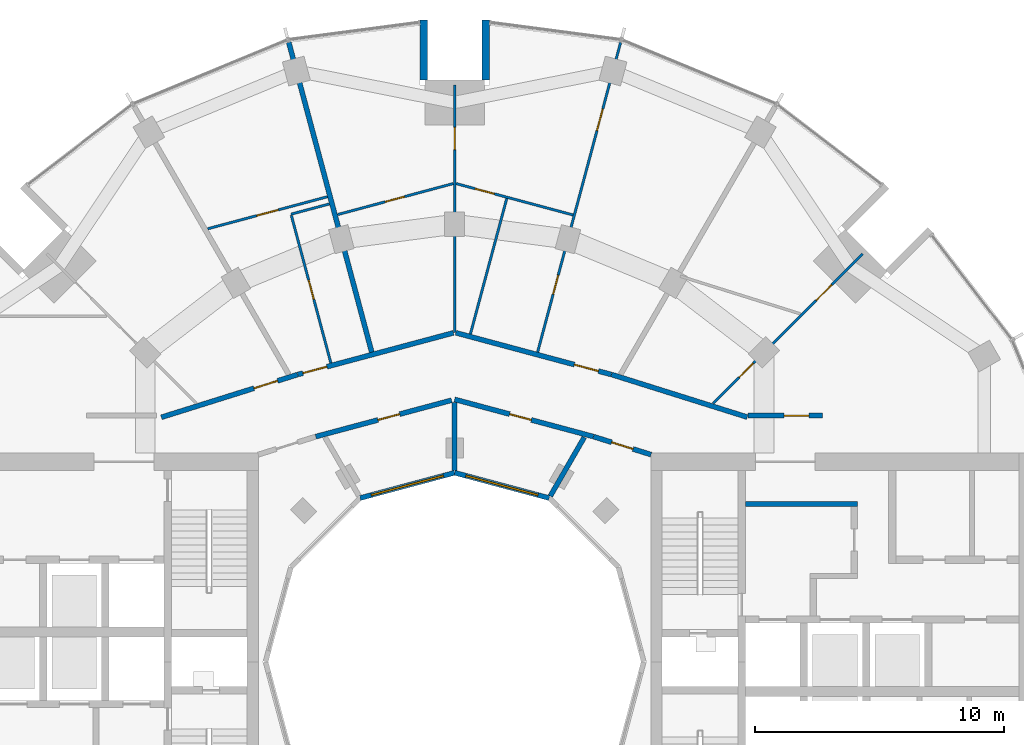
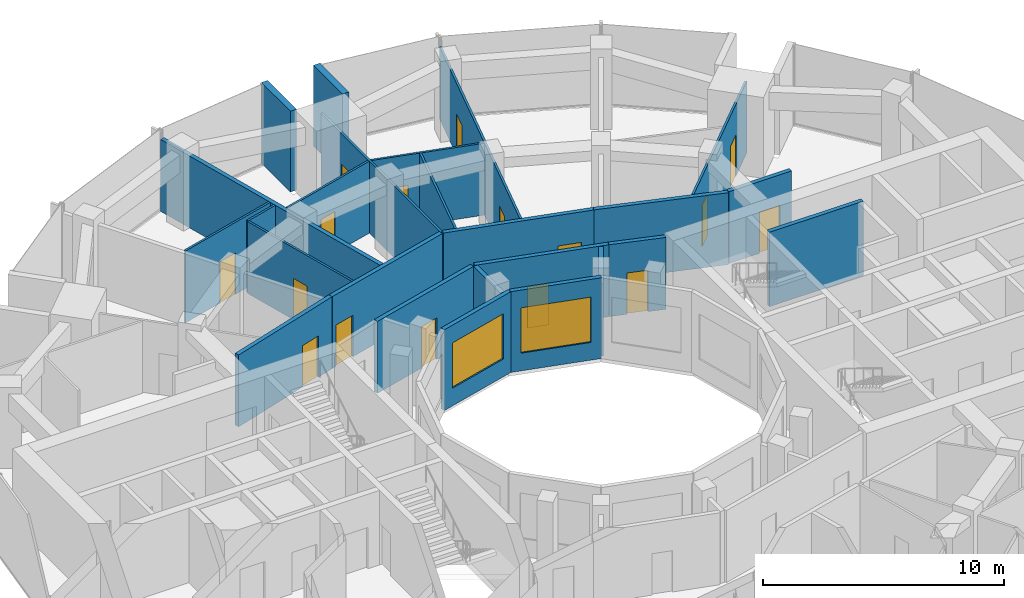
# One storey, part 12 of 15: 25 walls, 16 doors, 2 windows, 18 openings.
"""IFC4 building model written with IfcOpenShell, lengths in metres."""

from ifc_helpers import new_model, si_unit, direction, frame, frame_2d, origin, place, context, subcontext, project, spatial, rectangle, extrude, material, layer, layer_set, type_object, element, fill, save


model = new_model("IFC4")

# Units and contexts
model_context = context("Model", 3, precision=1e-05, world=origin(), true_north=direction((0.0, 1.0)))
body_context = subcontext(model_context, "Body", "Model", "MODEL_VIEW")
ifc_project = project(units=[si_unit("LENGTHUNIT", "METRE"), si_unit("AREAUNIT", "SQUARE_METRE"), si_unit("VOLUMEUNIT", "CUBIC_METRE"), si_unit("PLANEANGLEUNIT", "RADIAN"), si_unit("MASSUNIT", "GRAM", prefix="KILO")], contexts=[model_context])

# Site, building, storey
site_placement = place(None, origin())
site = spatial("IfcSite", under=ifc_project, at=site_placement, CompositionType="ELEMENT")
building_placement = place(site_placement, origin())
building = spatial("IfcBuilding", under=site, at=building_placement, Name="Torre Brocal", CompositionType="ELEMENT")
storey_placement = place(building_placement, frame((0.0, 0.0, 190.5)))
storey = spatial("IfcBuildingStorey", under=building, at=storey_placement, Name="L44", CompositionType="ELEMENT", Elevation=190.5)

# Walls
ifc_material_1 = material(Name="Concrete C70", Category="concrete")
ifc_layer_1 = layer(ifc_material_1, 0.199951171875)
ifc_layer_set_1 = layer_set([ifc_layer_1], Name="Concrete C70")
wall_type_1 = type_object("IfcWallType", Name="CORE WALL 200 C70", PredefinedType="SHEAR", material=ifc_layer_set_1)
wall_1_placement = place(storey_placement, frame((91.699951171875, 81.35009765625, 0.0), z_axis=(0.0, 0.0, 1.0), x_axis=(1.0, 0.0, 0.0)))
element("IfcWall", 1, at=wall_1_placement, inside=storey, type_object=wall_type_1, Name="Wall CW200-70", PredefinedType="SHEAR", context=body_context, shape_type="SweptSolid", body=[
    extrude(rectangle(XDim=4.5, YDim=0.199951171875, at=frame_2d((2.25, 0.0))), origin(), (0.0, 0.0, 1.0), 3.780029296875),
])
ifc_material_2 = material(Name="Concrete C70", Category="concrete")
ifc_layer_2 = layer(ifc_material_2, 0.300048828125)
ifc_layer_set_2 = layer_set([ifc_layer_2], Name="Concrete C70")
wall_type_2 = type_object("IfcWallType", Name="NOTCH RETURN WALL 300 C70", PredefinedType="NOTDEFINED", material=ifc_layer_set_2)
for number, where, z_axis, x_axis, name in (
    (2, (81.25, 98.39990234375, 0.0), (0.0, 0.0, 1.0), (0.0, 1.0, 0.0), "NOTCH RETURN WALL"),
    (3, (78.75, 98.39990234375, 0.0), (0.0, 0.0, 1.0), (0.0, 1.0, 0.0), "NOTCH RETURN WALL"),
):
    element("IfcWall", number, at=place(storey_placement, frame(where, z_axis=z_axis, x_axis=x_axis)), inside=storey, type_object=wall_type_2, Name=name, PredefinedType="NOTDEFINED", context=body_context, shape_type="SweptSolid", body=[
        extrude(rectangle(XDim=2.415771484375, YDim=0.300048828125, at=frame_2d((1.2080078125, 0.0))), origin(), (0.0, 0.0, 1.0), 4.10009765625),
    ])

# Wall, opening, door
ifc_material_3 = material(Name="Gypsum board", Category="Gypsum")
ifc_layer_3 = layer(ifc_material_3, 0.10009765625)
ifc_layer_set_3 = layer_set([ifc_layer_3], Name="Gypsum board")
wall_type_3 = type_object("IfcWallType", Name="PARTITION 100", PredefinedType="PARTITIONING", material=ifc_layer_set_3)
wall_2_placement = place(storey_placement, frame((70.0673828125, 92.41748046875, 0.0), z_axis=(0.0, 0.0, 1.0), x_axis=(0.965982566978, 0.258607193045, 0.0)))
wall_2 = element("IfcWall", 4, at=wall_2_placement, inside=storey, type_object=wall_type_3, Name="ROOM PARTITION", PredefinedType="PARTITIONING", context=body_context, shape_type="SweptSolid", body=[
    extrude(rectangle(XDim=4.986572265625, YDim=0.10009765625, at=frame_2d((2.4931640625, 0.0))), origin(), (0.0, 0.0, 1.0), 3.64990234375),
])
opening_1_placement = place(wall_2_placement, frame((2.038330078125, 0.0, 0.0)))
opening_1 = element("IfcOpeningElement", 5, at=opening_1_placement, cuts=wall_2, Name="Opening R03-D10", PredefinedType="OPENING", context=body_context, shape_type="SweptSolid", body=[
    extrude(rectangle(XDim=0.89990234375, YDim=2.10009765625, at=frame_2d((0.449951171875, 1.050048828125))), frame((0.0, 0.06005859375, 0.0), z_axis=(0.0, -1.0, 0.0), x_axis=(1.0, 0.0, 0.0)), (0.0, 0.0, 1.0), 0.1201171875),
])
ifc_material_4 = material(Name="Timber", Category="wood")
door_type_1 = type_object("IfcDoorType", Name="ROOM DOOR 900X2100", OperationType="SINGLE_SWING_LEFT", PredefinedType="DOOR", material=ifc_material_4)
door_1_placement = place(opening_1_placement, frame((0.89990234375, 0.0, 0.0), z_axis=(0.0, 0.0, 1.0), x_axis=(-1.0, 0.0, 0.0)))
door_1 = element("IfcDoor", 6, at=door_1_placement, inside=storey, type_object=door_type_1, Name="R03-D10", OperationType="SINGLE_SWING_LEFT", OverallHeight=2.10009765625, OverallWidth=0.89990234375, PredefinedType="DOOR", context=body_context, shape_type="SweptSolid", body=[
    extrude(rectangle(XDim=0.89990234375, YDim=2.10009765625, at=frame_2d((0.449951171875, 1.050048828125))), frame((0.0, 0.02490234375, 0.0), z_axis=(0.0, -1.0, 0.0), x_axis=(1.0, 0.0, 0.0)), (0.0, 0.0, 1.0), 0.050048828125),
])
fill(opening_1, door_1)

wall_3_placement = place(storey_placement, frame((73.429931640625, 92.955810546875, 0.0), z_axis=(0.0, 0.0, 1.0), x_axis=(0.258707643808, -0.965955669291, 0.0)))
wall_3 = element("IfcWall", 7, at=wall_3_placement, inside=storey, type_object=wall_type_3, Name="BATHROOM WALL", PredefinedType="PARTITIONING", context=body_context, shape_type="SweptSolid", body=[
    extrude(rectangle(XDim=6.150146484375, YDim=0.10009765625, at=frame_2d((3.0751953125, 0.0))), origin(), (0.0, 0.0, 1.0), 3.64990234375),
])
opening_2_placement = place(wall_3_placement, frame((2.7001953125, 0.0, 0.0)))
opening_2 = element("IfcOpeningElement", 8, at=opening_2_placement, cuts=wall_3, Name="Opening R03-D12", PredefinedType="OPENING", context=body_context, shape_type="SweptSolid", body=[
    extrude(rectangle(XDim=0.800048828125, YDim=2.10009765625, at=frame_2d((0.39990234375, 1.050048828125))), frame((0.0, 0.06005859375, 0.0), z_axis=(0.0, -1.0, 0.0), x_axis=(1.0, 0.0, 0.0)), (0.0, 0.0, 1.0), 0.1201171875),
])
ifc_material_5 = material(Name="Timber", Category="wood")
door_type_2 = type_object("IfcDoorType", Name="BATHROOM DOOR 800X2100", OperationType="SINGLE_SWING_LEFT", PredefinedType="DOOR", material=ifc_material_5)
door_2_placement = place(opening_2_placement, origin())
door_2 = element("IfcDoor", 9, at=door_2_placement, inside=storey, type_object=door_type_2, Name="R03-D12", OperationType="SINGLE_SWING_LEFT", OverallHeight=2.10009765625, OverallWidth=0.800048828125, PredefinedType="DOOR", context=body_context, shape_type="SweptSolid", body=[
    extrude(rectangle(XDim=0.800048828125, YDim=2.10009765625, at=frame_2d((0.39990234375, 1.050048828125))), frame((0.0, 0.02490234375, 0.0), z_axis=(0.0, -1.0, 0.0), x_axis=(1.0, 0.0, 0.0)), (0.0, 0.0, 1.0), 0.050048828125),
])
fill(opening_2, door_2)

# Wall
wall_4_placement = place(storey_placement, frame((73.4169921875, 93.00390625, 0.0), z_axis=(0.0, 0.0, 1.0), x_axis=(0.966062421459, 0.258308725839, 0.0)))
element("IfcWall", 10, at=wall_4_placement, inside=storey, type_object=wall_type_3, Name="BATHROOM WALL", PredefinedType="PARTITIONING", context=body_context, shape_type="SweptSolid", body=[
    extrude(rectangle(XDim=1.59912109375, YDim=0.10009765625, at=frame_2d((0.799560546875, 0.0))), origin(), (0.0, 0.0, 1.0), 3.64990234375),
])

# Wall, opening, door
wall_5_placement = place(storey_placement, frame((75.294677734375, 92.988525390625, 0.0), z_axis=(0.0, 0.0, 1.0), x_axis=(0.965829517501, 0.259178207271, 0.0)))
wall_5 = element("IfcWall", 11, at=wall_5_placement, inside=storey, type_object=wall_type_3, Name="BATHROOM WALL", PredefinedType="PARTITIONING", context=body_context, shape_type="SweptSolid", body=[
    extrude(rectangle(XDim=4.8115234375, YDim=0.10009765625, at=frame_2d((2.40576171875, 0.0))), origin(), (0.0, 0.0, 1.0), 3.64990234375),
])
opening_3_placement = place(wall_5_placement, frame((1.980712890625, 0.0, 0.0)))
opening_3 = element("IfcOpeningElement", 12, at=opening_3_placement, cuts=wall_5, Name="Opening R03-D09", PredefinedType="OPENING", context=body_context, shape_type="SweptSolid", body=[
    extrude(rectangle(XDim=0.800048828125, YDim=2.10009765625, at=frame_2d((0.39990234375, 1.050048828125))), frame((0.0, 0.06005859375, 0.0), z_axis=(0.0, -1.0, 0.0), x_axis=(1.0, 0.0, 0.0)), (0.0, 0.0, 1.0), 0.1201171875),
])
door_3_placement = place(opening_3_placement, frame((0.800048828125, 0.0, 0.0), z_axis=(0.0, 0.0, 1.0), x_axis=(-1.0, 0.0, 0.0)))
door_3 = element("IfcDoor", 13, at=door_3_placement, inside=storey, type_object=door_type_2, Name="R03-D09", OperationType="SINGLE_SWING_LEFT", OverallHeight=2.10009765625, OverallWidth=0.800048828125, PredefinedType="DOOR", context=body_context, shape_type="SweptSolid", body=[
    extrude(rectangle(XDim=0.800048828125, YDim=2.10009765625, at=frame_2d((0.39990234375, 1.050048828125))), frame((0.0, 0.02490234375, 0.0), z_axis=(0.0, -1.0, 0.0), x_axis=(1.0, 0.0, 0.0)), (0.0, 0.0, 1.0), 0.050048828125),
])
fill(opening_3, door_3)

wall_6_placement = place(storey_placement, frame((80.0, 88.24609375, 0.0), z_axis=(0.0, 0.0, 1.0), x_axis=(0.0, 1.0, 0.0)))
wall_6 = element("IfcWall", 14, at=wall_6_placement, inside=storey, type_object=wall_type_3, Name="BATHROOM WALL", PredefinedType="PARTITIONING", context=body_context, shape_type="SweptSolid", body=[
    extrude(rectangle(XDim=9.953857421875, YDim=0.10009765625, at=frame_2d((4.97705078125, 0.0))), origin(), (0.0, 0.0, 1.0), 3.64990234375),
])
opening_4_placement = place(wall_6_placement, frame((7.3544921875, 0.0, 0.0)))
opening_4 = element("IfcOpeningElement", 15, at=opening_4_placement, cuts=wall_6, Name="Opening R03-D08", PredefinedType="OPENING", context=body_context, shape_type="SweptSolid", body=[
    extrude(rectangle(XDim=0.89990234375, YDim=2.10009765625, at=frame_2d((0.449951171875, 1.050048828125))), frame((0.0, 0.06005859375, 0.0), z_axis=(0.0, -1.0, 0.0), x_axis=(1.0, 0.0, 0.0)), (0.0, 0.0, 1.0), 0.1201171875),
])
door_4_placement = place(opening_4_placement, origin())
door_4 = element("IfcDoor", 16, at=door_4_placement, inside=storey, type_object=door_type_1, Name="R03-D08", OperationType="SINGLE_SWING_LEFT", OverallHeight=2.10009765625, OverallWidth=0.89990234375, PredefinedType="DOOR", context=body_context, shape_type="SweptSolid", body=[
    extrude(rectangle(XDim=0.89990234375, YDim=2.10009765625, at=frame_2d((0.449951171875, 1.050048828125))), frame((0.0, 0.02490234375, 0.0), z_axis=(0.0, -1.0, 0.0), x_axis=(1.0, 0.0, 0.0)), (0.0, 0.0, 1.0), 0.050048828125),
])
fill(opening_4, door_4)

wall_7_placement = place(storey_placement, frame((80.057861328125, 94.2353515625, 0.0), z_axis=(0.0, 0.0, 1.0), x_axis=(0.965831212389, -0.259171891173, 0.0)))
wall_7 = element("IfcWall", 17, at=wall_7_placement, inside=storey, type_object=wall_type_3, Name="BATHROOM WALL", PredefinedType="PARTITIONING", context=body_context, shape_type="SweptSolid", body=[
    extrude(rectangle(XDim=4.8720703125, YDim=0.10009765625, at=frame_2d((2.43603515625, 0.0))), origin(), (0.0, 0.0, 1.0), 3.64990234375),
])
opening_5_placement = place(wall_7_placement, frame((0.79150390625, 0.0, 0.0)))
opening_5 = element("IfcOpeningElement", 18, at=opening_5_placement, cuts=wall_7, Name="Opening R03-D06", PredefinedType="OPENING", context=body_context, shape_type="SweptSolid", body=[
    extrude(rectangle(XDim=0.800048828125, YDim=2.10009765625, at=frame_2d((0.39990234375, 1.050048828125))), frame((0.0, 0.06005859375, 0.0), z_axis=(0.0, -1.0, 0.0), x_axis=(1.0, 0.0, 0.0)), (0.0, 0.0, 1.0), 0.1201171875),
])
door_5_placement = place(opening_5_placement, frame((0.800048828125, 0.0, 0.0), z_axis=(0.0, 0.0, 1.0), x_axis=(-1.0, 0.0, 0.0)))
door_5 = element("IfcDoor", 19, at=door_5_placement, inside=storey, type_object=door_type_2, Name="R03-D06", OperationType="SINGLE_SWING_LEFT", OverallHeight=2.10009765625, OverallWidth=0.800048828125, PredefinedType="DOOR", context=body_context, shape_type="SweptSolid", body=[
    extrude(rectangle(XDim=0.800048828125, YDim=2.10009765625, at=frame_2d((0.39990234375, 1.050048828125))), frame((0.0, 0.02490234375, 0.0), z_axis=(0.0, -1.0, 0.0), x_axis=(1.0, 0.0, 0.0)), (0.0, 0.0, 1.0), 0.050048828125),
])
fill(opening_5, door_5)

# Wall
wall_8_placement = place(storey_placement, frame((80.633056640625, 88.179931640625, 0.0), z_axis=(0.0, 0.0, 1.0), x_axis=(0.25898304477, 0.965881867788, 0.0)))
element("IfcWall", 20, at=wall_8_placement, inside=storey, type_object=wall_type_3, Name="BATHROOM WALL", PredefinedType="PARTITIONING", context=body_context, shape_type="SweptSolid", body=[
    extrude(rectangle(XDim=5.649658203125, YDim=0.10009765625, at=frame_2d((2.82470703125, 0.0))), origin(), (0.0, 0.0, 1.0), 3.64990234375),
])

# Wall, openings, doors
wall_9_placement = place(storey_placement, frame((83.3369140625, 87.455078125, 0.0), z_axis=(0.0, 0.0, 1.0), x_axis=(0.258861232071, 0.965914521337, 0.0)))
wall_9 = element("IfcWall", 21, at=wall_9_placement, inside=storey, type_object=wall_type_3, Name="BATHROOM WALL", PredefinedType="PARTITIONING", context=body_context, shape_type="SweptSolid", body=[
    extrude(rectangle(XDim=12.904052734375, YDim=0.10009765625, at=frame_2d((6.4521484375, 0.0))), origin(), (0.0, 0.0, 1.0), 3.64990234375),
])
opening_6_placement = place(wall_9_placement, frame((9.2265625, 0.0, 0.0)))
opening_6 = element("IfcOpeningElement", 22, at=opening_6_placement, cuts=wall_9, Name="Opening R03-D05", PredefinedType="OPENING", context=body_context, shape_type="SweptSolid", body=[
    extrude(rectangle(XDim=0.89990234375, YDim=2.10009765625, at=frame_2d((0.449951171875, 1.050048828125))), frame((0.0, 0.06005859375, 0.0), z_axis=(0.0, -1.0, 0.0), x_axis=(1.0, 0.0, 0.0)), (0.0, 0.0, 1.0), 0.1201171875),
])
opening_7_placement = place(wall_9_placement, frame((2.4091796875, 0.0, 0.0)))
opening_7 = element("IfcOpeningElement", 23, at=opening_7_placement, cuts=wall_9, Name="Opening R03-D07", PredefinedType="OPENING", context=body_context, shape_type="SweptSolid", body=[
    extrude(rectangle(XDim=0.800048828125, YDim=2.10009765625, at=frame_2d((0.39990234375, 1.050048828125))), frame((0.0, 0.06005859375, 0.0), z_axis=(0.0, -1.0, 0.0), x_axis=(1.0, 0.0, 0.0)), (0.0, 0.0, 1.0), 0.1201171875),
])
door_6_placement = place(opening_7_placement, origin())
door_6 = element("IfcDoor", 24, at=door_6_placement, inside=storey, type_object=door_type_2, Name="R03-D07", OperationType="SINGLE_SWING_RIGHT", OverallHeight=2.10009765625, OverallWidth=0.800048828125, PredefinedType="DOOR", context=body_context, shape_type="SweptSolid", body=[
    extrude(rectangle(XDim=0.800048828125, YDim=2.10009765625, at=frame_2d((0.39990234375, 1.050048828125))), frame((0.0, 0.02490234375, 0.0), z_axis=(0.0, -1.0, 0.0), x_axis=(1.0, 0.0, 0.0)), (0.0, 0.0, 1.0), 0.050048828125),
])
fill(opening_7, door_6)
door_7_placement = place(opening_6_placement, frame((0.89990234375, 0.0, 0.0), z_axis=(0.0, 0.0, 1.0), x_axis=(-1.0, 0.0, 0.0)))
door_7 = element("IfcDoor", 25, at=door_7_placement, inside=storey, type_object=door_type_1, Name="R03-D05", OperationType="SINGLE_SWING_LEFT", OverallHeight=2.10009765625, OverallWidth=0.89990234375, PredefinedType="DOOR", context=body_context, shape_type="SweptSolid", body=[
    extrude(rectangle(XDim=0.89990234375, YDim=2.10009765625, at=frame_2d((0.449951171875, 1.050048828125))), frame((0.0, 0.02490234375, 0.0), z_axis=(0.0, -1.0, 0.0), x_axis=(1.0, 0.0, 0.0)), (0.0, 0.0, 1.0), 0.050048828125),
])
fill(opening_6, door_7)

wall_10_placement = place(storey_placement, frame((90.39697265625, 85.392822265625, 0.0), z_axis=(0.0, 0.0, 1.0), x_axis=(0.707264750546, 0.706948776529, 0.0)))
wall_10 = element("IfcWall", 26, at=wall_10_placement, inside=storey, type_object=wall_type_3, Name="BATHROOM WALL", PredefinedType="PARTITIONING", context=body_context, shape_type="SweptSolid", body=[
    extrude(rectangle(XDim=8.499267578125, YDim=0.10009765625, at=frame_2d((4.24951171875, 0.0))), origin(), (0.0, 0.0, 1.0), 3.64990234375),
])
opening_8_placement = place(wall_10_placement, frame((5.856689453125, 0.0, 0.0)))
opening_8 = element("IfcOpeningElement", 27, at=opening_8_placement, cuts=wall_10, Name="Opening R03-D02", PredefinedType="OPENING", context=body_context, shape_type="SweptSolid", body=[
    extrude(rectangle(XDim=0.89990234375, YDim=2.10009765625, at=frame_2d((0.449951171875, 1.050048828125))), frame((0.0, 0.06005859375, 0.0), z_axis=(0.0, -1.0, 0.0), x_axis=(1.0, 0.0, 0.0)), (0.0, 0.0, 1.0), 0.1201171875),
])
opening_9_placement = place(wall_10_placement, frame((1.4755859375, 0.0, 0.0)))
opening_9 = element("IfcOpeningElement", 28, at=opening_9_placement, cuts=wall_10, Name="Opening R03-D03", PredefinedType="OPENING", context=body_context, shape_type="SweptSolid", body=[
    extrude(rectangle(XDim=0.800048828125, YDim=2.10009765625, at=frame_2d((0.39990234375, 1.050048828125))), frame((0.0, 0.06005859375, 0.0), z_axis=(0.0, -1.0, 0.0), x_axis=(1.0, 0.0, 0.0)), (0.0, 0.0, 1.0), 0.1201171875),
])
door_8_placement = place(opening_9_placement, origin())
door_8 = element("IfcDoor", 29, at=door_8_placement, inside=storey, type_object=door_type_2, Name="R03-D03", OperationType="SINGLE_SWING_LEFT", OverallHeight=2.10009765625, OverallWidth=0.800048828125, PredefinedType="DOOR", context=body_context, shape_type="SweptSolid", body=[
    extrude(rectangle(XDim=0.800048828125, YDim=2.10009765625, at=frame_2d((0.39990234375, 1.050048828125))), frame((0.0, 0.02490234375, 0.0), z_axis=(0.0, -1.0, 0.0), x_axis=(1.0, 0.0, 0.0)), (0.0, 0.0, 1.0), 0.050048828125),
])
fill(opening_9, door_8)
door_9_placement = place(opening_8_placement, frame((0.89990234375, 0.0, 0.0), z_axis=(0.0, 0.0, 1.0), x_axis=(-1.0, 0.0, 0.0)))
door_9 = element("IfcDoor", 30, at=door_9_placement, inside=storey, type_object=door_type_1, Name="R03-D02", OperationType="SINGLE_SWING_LEFT", OverallHeight=2.10009765625, OverallWidth=0.89990234375, PredefinedType="DOOR", context=body_context, shape_type="SweptSolid", body=[
    extrude(rectangle(XDim=0.89990234375, YDim=2.10009765625, at=frame_2d((0.449951171875, 1.050048828125))), frame((0.0, 0.02490234375, 0.0), z_axis=(0.0, -1.0, 0.0), x_axis=(1.0, 0.0, 0.0)), (0.0, 0.0, 1.0), 0.050048828125),
])
fill(opening_8, door_9)

# Wall, opening, door
ifc_material_6 = material(Name="Gypsum board", Category="Gypsum")
ifc_layer_4 = layer(ifc_material_6, 0.199951171875)
ifc_layer_set_4 = layer_set([ifc_layer_4], Name="Gypsum board")
wall_type_4 = type_object("IfcWallType", Name="PARTITION 200 EI60", PredefinedType="PARTITIONING", material=ifc_layer_set_4)
wall_11_placement = place(storey_placement, frame((68.199951171875, 84.83349609375, 0.0), z_axis=(0.0, 0.0, 1.0), x_axis=(0.954204109499, 0.299156342762, 0.0)))
wall_11 = element("IfcWall", 31, at=wall_11_placement, inside=storey, type_object=wall_type_4, Name="FLAT ENTRANCE WALL", PredefinedType="PARTITIONING", context=body_context, shape_type="SweptSolid", body=[
    extrude(rectangle(XDim=5.740478515625, YDim=0.199951171875, at=frame_2d((2.8701171875, 0.0))), origin(), (0.0, 0.0, 1.0), 3.64990234375),
])
opening_10_placement = place(wall_11_placement, frame((3.90283203125, 0.0, 0.0)))
opening_10 = element("IfcOpeningElement", 32, at=opening_10_placement, cuts=wall_11, Name="Opening R03-D13", PredefinedType="OPENING", context=body_context, shape_type="SweptSolid", body=[
    extrude(rectangle(XDim=1.0, YDim=2.10009765625, at=frame_2d((0.5, 1.050048828125))), frame((0.0, 0.10986328125, 0.0), z_axis=(0.0, -1.0, 0.0), x_axis=(1.0, 0.0, 0.0)), (0.0, 0.0, 1.0), 0.219970703125),
])
ifc_material_7 = material(Name="Timber", Category="wood")
door_type_3 = type_object("IfcDoorType", Name="FLAT ENTRY DOOR FD30S 1000X2100", OperationType="SINGLE_SWING_RIGHT", PredefinedType="DOOR", material=ifc_material_7)
door_10_placement = place(opening_10_placement, origin())
door_10 = element("IfcDoor", 33, at=door_10_placement, inside=storey, type_object=door_type_3, Name="R03-D13", OperationType="SINGLE_SWING_RIGHT", OverallHeight=2.10009765625, OverallWidth=1.0, PredefinedType="DOOR", context=body_context, shape_type="SweptSolid", body=[
    extrude(rectangle(XDim=1.0, YDim=2.10009765625, at=frame_2d((0.5, 1.050048828125))), frame((0.0, 0.02490234375, 0.0), z_axis=(0.0, -1.0, 0.0), x_axis=(1.0, 0.0, 0.0)), (0.0, 0.0, 1.0), 0.050048828125),
])
fill(opening_10, door_10)

# Wall
wall_12_placement = place(storey_placement, frame((73.326171875, 99.920166015625, 0.0), z_axis=(0.0, 0.0, 1.0), x_axis=(0.258652861824, -0.965970339643, 0.0)))
element("IfcWall", 34, at=wall_12_placement, inside=storey, type_object=wall_type_4, Name="BATHROOM WALL", PredefinedType="PARTITIONING", context=body_context, shape_type="SweptSolid", body=[
    extrude(rectangle(XDim=12.904052734375, YDim=0.199951171875, at=frame_2d((6.4521484375, 0.0))), origin(), (0.0, 0.0, 1.0), 3.64990234375),
])

# Wall, opening, door
wall_13_placement = place(storey_placement, frame((73.68701171875, 86.55419921875, 0.0), z_axis=(0.0, 0.0, 1.0), x_axis=(0.965992724769, 0.258569247387, 0.0)))
wall_13 = element("IfcWall", 35, at=wall_13_placement, inside=storey, type_object=wall_type_4, Name="FLAT ENTRANCE WALL", PredefinedType="PARTITIONING", context=body_context, shape_type="SweptSolid", body=[
    extrude(rectangle(XDim=6.485595703125, YDim=0.199951171875, at=frame_2d((3.24267578125, 0.0))), origin(), (0.0, 0.0, 1.0), 3.64990234375),
])
opening_11_placement = place(wall_13_placement, frame((0.2138671875, 0.0, 0.0)))
opening_11 = element("IfcOpeningElement", 36, at=opening_11_placement, cuts=wall_13, Name="Opening R03-D11", PredefinedType="OPENING", context=body_context, shape_type="SweptSolid", body=[
    extrude(rectangle(XDim=1.0, YDim=2.10009765625, at=frame_2d((0.5, 1.050048828125))), frame((0.0, 0.10986328125, 0.0), z_axis=(0.0, -1.0, 0.0), x_axis=(1.0, 0.0, 0.0)), (0.0, 0.0, 1.0), 0.219970703125),
])
door_11_placement = place(opening_11_placement, origin())
door_11 = element("IfcDoor", 37, at=door_11_placement, inside=storey, type_object=door_type_3, Name="R03-D11", OperationType="SINGLE_SWING_RIGHT", OverallHeight=2.10009765625, OverallWidth=1.0, PredefinedType="DOOR", context=body_context, shape_type="SweptSolid", body=[
    extrude(rectangle(XDim=1.0, YDim=2.10009765625, at=frame_2d((0.5, 1.050048828125))), frame((0.0, 0.02490234375, 0.0), z_axis=(0.0, -1.0, 0.0), x_axis=(1.0, 0.0, 0.0)), (0.0, 0.0, 1.0), 0.050048828125),
])
fill(opening_11, door_11)

wall_14_placement = place(storey_placement, frame((74.4130859375, 84.056884765625, 0.0), z_axis=(0.0, 0.0, 1.0), x_axis=(0.965972135939, 0.258646153246, 0.0)))
wall_14 = element("IfcWall", 38, at=wall_14_placement, inside=storey, type_object=wall_type_4, Name="CORRIDOR WALL", PredefinedType="PARTITIONING", context=body_context, shape_type="SweptSolid", body=[
    extrude(rectangle(XDim=5.654052734375, YDim=0.199951171875, at=frame_2d((2.8271484375, 0.0))), origin(), (0.0, 0.0, 1.0), 3.64990234375),
])
opening_12_placement = place(wall_14_placement, frame((2.5927734375, 0.0, 0.0)))
opening_12 = element("IfcOpeningElement", 39, at=opening_12_placement, cuts=wall_14, Name="Opening R03-D19", PredefinedType="OPENING", context=body_context, shape_type="SweptSolid", body=[
    extrude(rectangle(XDim=0.89990234375, YDim=2.10009765625, at=frame_2d((0.449951171875, 1.050048828125))), frame((0.0, 0.10986328125, 0.0), z_axis=(0.0, -1.0, 0.0), x_axis=(1.0, 0.0, 0.0)), (0.0, 0.0, 1.0), 0.219970703125),
])
door_12_placement = place(opening_12_placement, frame((0.89990234375, 0.0, 0.0), z_axis=(0.0, 0.0, 1.0), x_axis=(-1.0, 0.0, 0.0)))
door_12 = element("IfcDoor", 40, at=door_12_placement, inside=storey, type_object=door_type_1, Name="R03-D19", OperationType="SINGLE_SWING_RIGHT", OverallHeight=2.10009765625, OverallWidth=0.89990234375, PredefinedType="DOOR", context=body_context, shape_type="SweptSolid", body=[
    extrude(rectangle(XDim=0.89990234375, YDim=2.10009765625, at=frame_2d((0.449951171875, 1.050048828125))), frame((0.0, 0.02490234375, 0.0), z_axis=(0.0, -1.0, 0.0), x_axis=(1.0, 0.0, 0.0)), (0.0, 0.0, 1.0), 0.050048828125),
])
fill(opening_12, door_12)

# Wall
wall_15_placement = place(storey_placement, frame((80.0, 82.698974609375, 0.0), z_axis=(0.0, 0.0, 1.0), x_axis=(0.0, 1.0, 0.0)))
element("IfcWall", 41, at=wall_15_placement, inside=storey, type_object=wall_type_4, Name="SERVICE ROOM WALL", PredefinedType="PARTITIONING", context=body_context, shape_type="SweptSolid", body=[
    extrude(rectangle(XDim=2.72509765625, YDim=0.199951171875, at=frame_2d((1.362548828125, 0.0))), origin(), (0.0, 0.0, 1.0), 3.64990234375),
])

# Wall, opening, door
wall_16_placement = place(storey_placement, frame((80.0, 85.553955078125, 0.0), z_axis=(0.0, 0.0, 1.0), x_axis=(0.965928989968, -0.258807237802, 0.0)))
wall_16 = element("IfcWall", 42, at=wall_16_placement, inside=storey, type_object=wall_type_4, Name="CORRIDOR WALL", PredefinedType="PARTITIONING", context=body_context, shape_type="SweptSolid", body=[
    extrude(rectangle(XDim=5.774169921875, YDim=0.199951171875, at=frame_2d((2.88720703125, 0.0))), origin(), (0.0, 0.0, 1.0), 3.64990234375),
])
opening_13_placement = place(wall_16_placement, frame((2.29150390625, 0.0, 0.0)))
opening_13 = element("IfcOpeningElement", 43, at=opening_13_placement, cuts=wall_16, Name="Opening R03-D18", PredefinedType="OPENING", context=body_context, shape_type="SweptSolid", body=[
    extrude(rectangle(XDim=0.89990234375, YDim=2.10009765625, at=frame_2d((0.449951171875, 1.050048828125))), frame((0.0, 0.10986328125, 0.0), z_axis=(0.0, -1.0, 0.0), x_axis=(1.0, 0.0, 0.0)), (0.0, 0.0, 1.0), 0.219970703125),
])
door_13_placement = place(opening_13_placement, frame((0.89990234375, 0.0, 0.0), z_axis=(0.0, 0.0, 1.0), x_axis=(-1.0, 0.0, 0.0)))
door_13 = element("IfcDoor", 44, at=door_13_placement, inside=storey, type_object=door_type_1, Name="R03-D18", OperationType="SINGLE_SWING_LEFT", OverallHeight=2.10009765625, OverallWidth=0.89990234375, PredefinedType="DOOR", context=body_context, shape_type="SweptSolid", body=[
    extrude(rectangle(XDim=0.89990234375, YDim=2.10009765625, at=frame_2d((0.449951171875, 1.050048828125))), frame((0.0, 0.02490234375, 0.0), z_axis=(0.0, -1.0, 0.0), x_axis=(1.0, 0.0, 0.0)), (0.0, 0.0, 1.0), 0.050048828125),
])
fill(opening_13, door_13)

wall_17_placement = place(storey_placement, frame((80.04833984375, 88.2333984375, 0.0), z_axis=(0.0, 0.0, 1.0), x_axis=(0.965787353661, -0.259335280109, 0.0)))
wall_17 = element("IfcWall", 45, at=wall_17_placement, inside=storey, type_object=wall_type_4, Name="FLAT ENTRANCE WALL", PredefinedType="PARTITIONING", context=body_context, shape_type="SweptSolid", body=[
    extrude(rectangle(XDim=6.47607421875, YDim=0.199951171875, at=frame_2d((3.238037109375, 0.0))), origin(), (0.0, 0.0, 1.0), 3.64990234375),
])
opening_14_placement = place(wall_17_placement, frame((4.935791015625, 0.0, 0.0)))
opening_14 = element("IfcOpeningElement", 46, at=opening_14_placement, cuts=wall_17, Name="Opening R03-D04", PredefinedType="OPENING", context=body_context, shape_type="SweptSolid", body=[
    extrude(rectangle(XDim=1.0, YDim=2.10009765625, at=frame_2d((0.5, 1.050048828125))), frame((0.0, 0.10986328125, 0.0), z_axis=(0.0, -1.0, 0.0), x_axis=(1.0, 0.0, 0.0)), (0.0, 0.0, 1.0), 0.219970703125),
])
door_14_placement = place(opening_14_placement, origin())
door_14 = element("IfcDoor", 47, at=door_14_placement, inside=storey, type_object=door_type_3, Name="R03-D04", OperationType="SINGLE_SWING_RIGHT", OverallHeight=2.10009765625, OverallWidth=1.0, PredefinedType="DOOR", context=body_context, shape_type="SweptSolid", body=[
    extrude(rectangle(XDim=1.0, YDim=2.10009765625, at=frame_2d((0.5, 1.050048828125))), frame((0.0, 0.02490234375, 0.0), z_axis=(0.0, -1.0, 0.0), x_axis=(1.0, 0.0, 0.0)), (0.0, 0.0, 1.0), 0.050048828125),
])
fill(opening_14, door_14)

# Wall
wall_18_placement = place(storey_placement, frame((83.848876953125, 81.667236328125, 0.0), z_axis=(0.0, 0.0, 1.0), x_axis=(0.500117899823, 0.865957323588, 0.0)))
element("IfcWall", 48, at=wall_18_placement, inside=storey, type_object=wall_type_4, Name="SERVICE ROOM WALL", PredefinedType="PARTITIONING", context=body_context, shape_type="SweptSolid", body=[
    extrude(rectangle(XDim=2.725341796875, YDim=0.199951171875, at=frame_2d((1.36279296875, 0.0))), origin(), (0.0, 0.0, 1.0), 3.64990234375),
])

# Wall, opening, door
wall_19_placement = place(storey_placement, frame((85.5869140625, 84.056884765625, 0.0), z_axis=(0.0, 0.0, 1.0), x_axis=(0.954239513179, -0.299043393987, 0.0)))
wall_19 = element("IfcWall", 49, at=wall_19_placement, inside=storey, type_object=wall_type_4, Name="CORRIDOR WALL", PredefinedType="PARTITIONING", context=body_context, shape_type="SweptSolid", body=[
    extrude(rectangle(XDim=2.423828125, YDim=0.199951171875, at=frame_2d((1.2119140625, 0.0))), origin(), (0.0, 0.0, 1.0), 3.64990234375),
])
opening_15_placement = place(wall_19_placement, frame((0.761962890625, 0.0, 0.0)))
opening_15 = element("IfcOpeningElement", 50, at=opening_15_placement, cuts=wall_19, Name="Opening R03-D17", PredefinedType="OPENING", context=body_context, shape_type="SweptSolid", body=[
    extrude(rectangle(XDim=0.89990234375, YDim=2.10009765625, at=frame_2d((0.449951171875, 1.050048828125))), frame((0.0, 0.10986328125, 0.0), z_axis=(0.0, -1.0, 0.0), x_axis=(1.0, 0.0, 0.0)), (0.0, 0.0, 1.0), 0.219970703125),
])
door_15_placement = place(opening_15_placement, frame((0.89990234375, 0.0, 0.0), z_axis=(0.0, 0.0, 1.0), x_axis=(-1.0, 0.0, 0.0)))
door_15 = element("IfcDoor", 51, at=door_15_placement, inside=storey, type_object=door_type_1, Name="R03-D17", OperationType="SINGLE_SWING_LEFT", OverallHeight=2.10009765625, OverallWidth=0.89990234375, PredefinedType="DOOR", context=body_context, shape_type="SweptSolid", body=[
    extrude(rectangle(XDim=0.89990234375, YDim=2.10009765625, at=frame_2d((0.449951171875, 1.050048828125))), frame((0.0, 0.02490234375, 0.0), z_axis=(0.0, -1.0, 0.0), x_axis=(1.0, 0.0, 0.0)), (0.0, 0.0, 1.0), 0.050048828125),
])
fill(opening_15, door_15)

# Wall
wall_20_placement = place(storey_placement, frame((86.31298828125, 86.554443359375, 0.0), z_axis=(0.0, 0.0, 1.0), x_axis=(0.954081217458, -0.299548043717, 0.0)))
element("IfcWall", 52, at=wall_20_placement, inside=storey, type_object=wall_type_4, Name="FLAT ENTRANCE WALL", PredefinedType="PARTITIONING", context=body_context, shape_type="SweptSolid", body=[
    extrude(rectangle(XDim=5.720703125, YDim=0.199951171875, at=frame_2d((2.8603515625, 0.0))), origin(), (0.0, 0.0, 1.0), 3.64990234375),
])

# Wall, opening, door
wall_21_placement = place(storey_placement, frame((91.800048828125, 84.89990234375, 0.0), z_axis=(0.0, 0.0, 1.0), x_axis=(1.0, 0.0, 0.0)))
wall_21 = element("IfcWall", 53, at=wall_21_placement, inside=storey, type_object=wall_type_4, Name="FLAT ENTRANCE WALL", PredefinedType="PARTITIONING", context=body_context, shape_type="SweptSolid", body=[
    extrude(rectangle(XDim=3.0, YDim=0.199951171875, at=frame_2d((1.5, 0.0))), origin(), (0.0, 0.0, 1.0), 3.64990234375),
])
opening_16_placement = place(wall_21_placement, frame((1.449951171875, 0.0, 0.0)))
opening_16 = element("IfcOpeningElement", 54, at=opening_16_placement, cuts=wall_21, Name="Opening R03-D01", PredefinedType="OPENING", context=body_context, shape_type="SweptSolid", body=[
    extrude(rectangle(XDim=1.0, YDim=2.10009765625, at=frame_2d((0.5, 1.050048828125))), frame((0.0, 0.10986328125, 0.0), z_axis=(0.0, -1.0, 0.0), x_axis=(1.0, 0.0, 0.0)), (0.0, 0.0, 1.0), 0.219970703125),
])
door_16_placement = place(opening_16_placement, origin())
door_16 = element("IfcDoor", 55, at=door_16_placement, inside=storey, type_object=door_type_3, Name="R03-D01", OperationType="SINGLE_SWING_LEFT", OverallHeight=2.10009765625, OverallWidth=1.0, PredefinedType="DOOR", context=body_context, shape_type="SweptSolid", body=[
    extrude(rectangle(XDim=1.0, YDim=2.10009765625, at=frame_2d((0.5, 1.050048828125))), frame((0.0, 0.02490234375, 0.0), z_axis=(0.0, -1.0, 0.0), x_axis=(1.0, 0.0, 0.0)), (0.0, 0.0, 1.0), 0.050048828125),
])
fill(opening_16, door_16)

# Wall, opening, window
ifc_material_8 = material(Name="Concrete C40", Category="concrete")
ifc_layer_5 = layer(ifc_material_8, 0.199951171875)
ifc_layer_set_5 = layer_set([ifc_layer_5], Name="Concrete C40")
wall_type_5 = type_object("IfcWallType", Name="WELL FACADE WALL 200", PredefinedType="NOTDEFINED", material=ifc_layer_set_5)
wall_22_placement = place(storey_placement, frame((83.8017578125, 81.5849609375, 0.0), z_axis=(0.0, 0.0, 1.0), x_axis=(-0.965933654434, 0.258789828301, 0.0)))
wall_22 = element("IfcWall", 56, at=wall_22_placement, inside=storey, type_object=wall_type_5, Name="WELL FACADE WALL", PredefinedType="NOTDEFINED", context=body_context, shape_type="SweptSolid", body=[
    extrude(rectangle(XDim=3.935791015625, YDim=0.199951171875, at=frame_2d((1.9677734375, 0.0))), origin(), (0.0, 0.0, 1.0), 4.10009765625),
])
opening_17_placement = place(wall_22_placement, frame((0.468017578125, 0.0, 0.89990234375)))
opening_17 = element("IfcOpeningElement", 57, at=opening_17_placement, cuts=wall_22, Name="Opening W1", PredefinedType="OPENING", context=body_context, shape_type="SweptSolid", body=[
    extrude(rectangle(XDim=3.0, YDim=2.300048828125, at=frame_2d((1.5, 1.14990234375))), frame((0.0, 0.10986328125, 0.0), z_axis=(0.0, -1.0, 0.0), x_axis=(1.0, 0.0, 0.0)), (0.0, 0.0, 1.0), 0.219970703125),
])
ifc_material_9 = material(Name="Aluminium and glass", Category="aluminium")
window_type = type_object("IfcWindowType", Name="WELL WINDOW 3000X2300", PartitioningType="SINGLE_PANEL", PredefinedType="WINDOW", material=ifc_material_9)
window_1_placement = place(opening_17_placement, origin())
window_1 = element("IfcWindow", 58, at=window_1_placement, inside=storey, type_object=window_type, Name="WELL WINDOW 3000X2300", OverallHeight=2.300048828125, OverallWidth=3.0, PartitioningType="SINGLE_PANEL", PredefinedType="WINDOW", context=body_context, shape_type="SweptSolid", body=[
    extrude(rectangle(XDim=3.0, YDim=2.300048828125, at=frame_2d((1.5, 1.14990234375))), frame((0.0, 0.030029296875, 0.0), z_axis=(0.0, -1.0, 0.0), x_axis=(1.0, 0.0, 0.0)), (0.0, 0.0, 1.0), 0.06005859375),
])
fill(opening_17, window_1)

wall_23_placement = place(storey_placement, frame((80.0, 82.603515625, 0.0), z_axis=(0.0, 0.0, 1.0), x_axis=(-0.965933654434, -0.258789828301, 0.0)))
wall_23 = element("IfcWall", 59, at=wall_23_placement, inside=storey, type_object=wall_type_5, Name="WELL FACADE WALL", PredefinedType="NOTDEFINED", context=body_context, shape_type="SweptSolid", body=[
    extrude(rectangle(XDim=3.935791015625, YDim=0.199951171875, at=frame_2d((1.9677734375, 0.0))), origin(), (0.0, 0.0, 1.0), 4.10009765625),
])
opening_18_placement = place(wall_23_placement, frame((0.468017578125, 0.0, 0.89990234375)))
opening_18 = element("IfcOpeningElement", 60, at=opening_18_placement, cuts=wall_23, Name="Opening W1", PredefinedType="OPENING", context=body_context, shape_type="SweptSolid", body=[
    extrude(rectangle(XDim=3.0, YDim=2.300048828125, at=frame_2d((1.5, 1.14990234375))), frame((0.0, 0.10986328125, 0.0), z_axis=(0.0, -1.0, 0.0), x_axis=(1.0, 0.0, 0.0)), (0.0, 0.0, 1.0), 0.219970703125),
])
window_2_placement = place(opening_18_placement, origin())
window_2 = element("IfcWindow", 61, at=window_2_placement, inside=storey, type_object=window_type, Name="WELL WINDOW 3000X2300", OverallHeight=2.300048828125, OverallWidth=3.0, PartitioningType="SINGLE_PANEL", PredefinedType="WINDOW", context=body_context, shape_type="SweptSolid", body=[
    extrude(rectangle(XDim=3.0, YDim=2.300048828125, at=frame_2d((1.5, 1.14990234375))), frame((0.0, 0.030029296875, 0.0), z_axis=(0.0, -1.0, 0.0), x_axis=(1.0, 0.0, 0.0)), (0.0, 0.0, 1.0), 0.06005859375),
])
fill(opening_18, window_2)

save(model, "model.ifc")
